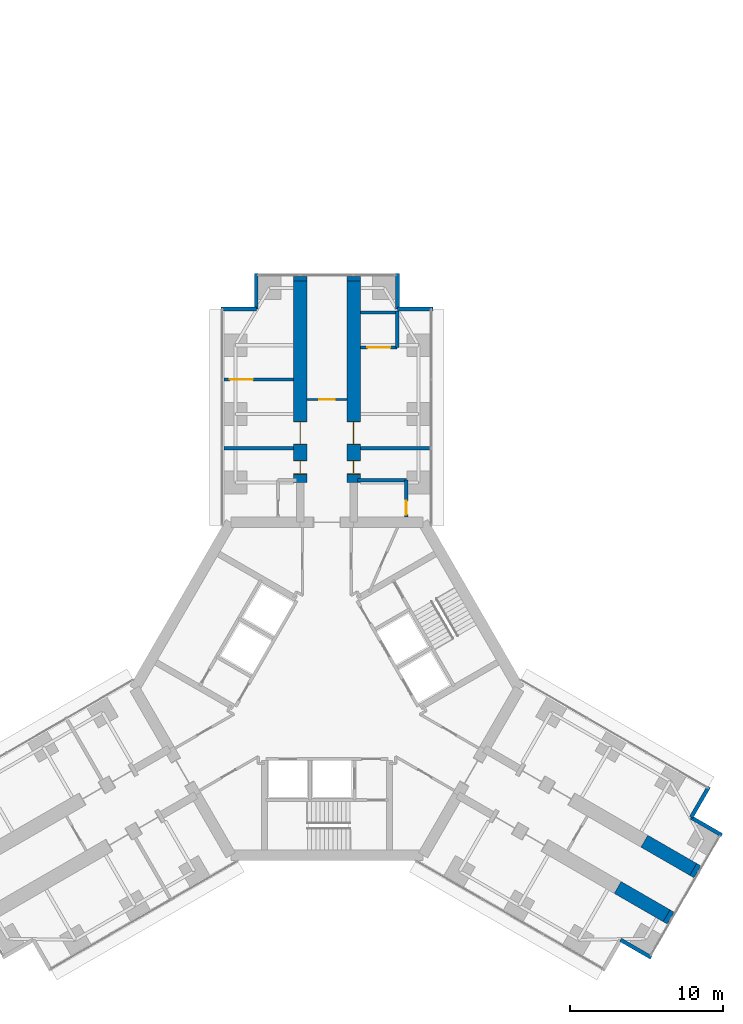
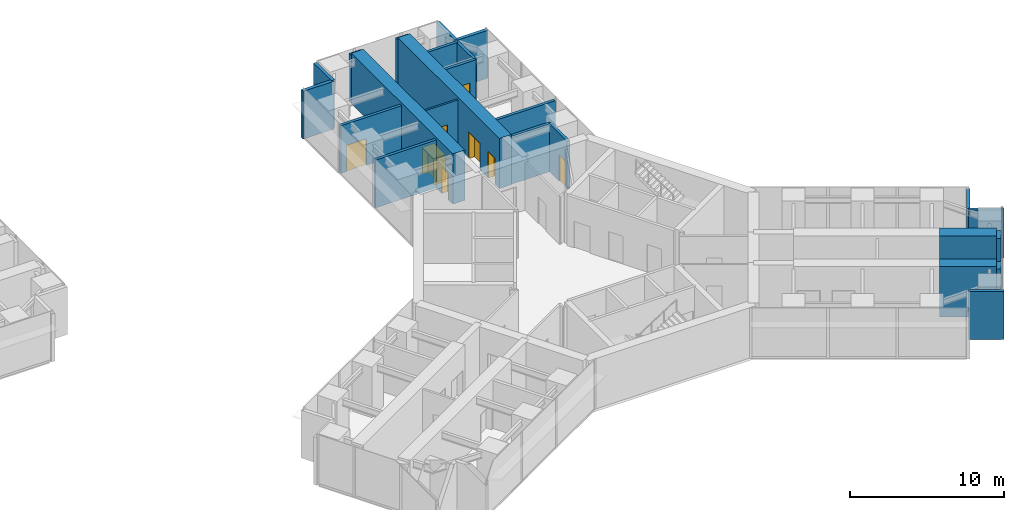
# One storey, part 21 of 23: 24 walls, 8 doors, 8 openings.
"""IFC4 building model written with IfcOpenShell, lengths in metres."""

from ifc_helpers import new_model, si_unit, direction, frame, frame_2d, origin, place, context, subcontext, project, spatial, rectangle, extrude, material, layer, layer_set, type_object, element, fill, save


model = new_model("IFC4")

# Units and contexts
model_context = context("Model", 3, precision=1e-05, world=origin(), true_north=direction((0.0, 1.0)))
body_context = subcontext(model_context, "Body", "Model", "MODEL_VIEW")
ifc_project = project(units=[si_unit("LENGTHUNIT", "METRE"), si_unit("AREAUNIT", "SQUARE_METRE"), si_unit("VOLUMEUNIT", "CUBIC_METRE"), si_unit("PLANEANGLEUNIT", "RADIAN"), si_unit("MASSUNIT", "GRAM", prefix="KILO")], contexts=[model_context])

# Site, building, storey
site_placement = place(None, origin())
site = spatial("IfcSite", under=ifc_project, at=site_placement, CompositionType="ELEMENT")
building_placement = place(site_placement, origin())
building = spatial("IfcBuilding", under=site, at=building_placement, Name="Upepo Twin Towers", CompositionType="ELEMENT")
storey_placement = place(building_placement, frame((0.0, 0.0, 24.5)))
storey = spatial("IfcBuildingStorey", under=building, at=storey_placement, Name="L05", CompositionType="ELEMENT", Elevation=24.5)

# Wall
ifc_material_1 = material(Name="Concrete blockwork, plastered both faces", Category="masonry")
ifc_layer_1 = layer(ifc_material_1, 0.215087890625)
ifc_layer_set_1 = layer_set([ifc_layer_1], Name="Blockwork partition 215")
wall_type_1 = type_object("IfcWallType", Name="Blockwork partition 215", PredefinedType="PARTITIONING", material=ifc_layer_set_1)
wall_1_placement = place(storey_placement, frame((56.300048828125, -2.25, 0.0), z_axis=(0.0, 0.0, 1.0), x_axis=(-1.0, 0.0, 0.0)))
element("IfcWall", 1, at=wall_1_placement, inside=storey, type_object=wall_type_1, Name="T2 partition AL at 15.75", PredefinedType="PARTITIONING", context=body_context, shape_type="SweptSolid", body=[
    extrude(rectangle(XDim=4.550048828125, YDim=0.215087890625, at=frame_2d((2.27490234375, 0.0))), origin(), (0.0, 0.0, 1.0), 3.800048828125),
])

# Wall, opening, door
wall_2_placement = place(storey_placement, frame((56.300048828125, 2.25, 0.0), z_axis=(0.0, 0.0, 1.0), x_axis=(-1.0, 0.0, 0.0)))
wall_2 = element("IfcWall", 2, at=wall_2_placement, inside=storey, type_object=wall_type_1, Name="T2 partition AL at 20.25", PredefinedType="PARTITIONING", context=body_context, shape_type="SweptSolid", body=[
    extrude(rectangle(XDim=4.550048828125, YDim=0.215087890625, at=frame_2d((2.27490234375, 0.0))), origin(), (0.0, 0.0, 1.0), 3.800048828125),
])
opening_1_placement = place(wall_2_placement, frame((2.64990234375, 0.0, 0.0)))
opening_1 = element("IfcOpeningElement", 3, at=opening_1_placement, cuts=wall_2, Name="Opening D13", PredefinedType="OPENING", context=body_context, shape_type="SweptSolid", body=[
    extrude(rectangle(XDim=1.5, YDim=2.10009765625, at=frame_2d((0.75, 1.050048828125))), frame((0.0, 0.117431640625, 0.0), z_axis=(0.0, -1.0, 0.0), x_axis=(1.0, 0.0, 0.0)), (0.0, 0.0, 1.0), 0.235107421875),
])
ifc_material_2 = material(Name="Timber doorset", Category="wood")
door_type_1 = type_object("IfcDoorType", Name="Double door 1500 FD30", OperationType="DOUBLE_DOOR_SINGLE_SWING", PredefinedType="DOOR", material=ifc_material_2)
door_1_placement = place(opening_1_placement, origin())
door_1 = element("IfcDoor", 4, at=door_1_placement, inside=storey, type_object=door_type_1, Name="T2 L05 connecting door", OperationType="DOUBLE_DOOR_SINGLE_SWING", OverallHeight=2.10009765625, OverallWidth=1.5, PredefinedType="DOOR", context=body_context, shape_type="SweptSolid", body=[
    extrude(rectangle(XDim=1.5, YDim=2.10009765625, at=frame_2d((0.75, 1.050048828125))), frame((0.0, 0.02490234375, 0.0), z_axis=(0.0, -1.0, 0.0), x_axis=(1.0, 0.0, 0.0)), (0.0, 0.0, 1.0), 0.050048828125),
])
fill(opening_1, door_1)

# Walls
wall_3_placement = place(storey_placement, frame((60.699951171875, -2.25, 0.0), z_axis=(0.0, 0.0, 1.0), x_axis=(1.0, 0.0, 0.0)))
element("IfcWall", 5, at=wall_3_placement, inside=storey, type_object=wall_type_1, Name="T2 partition AR at 15.75", PredefinedType="PARTITIONING", context=body_context, shape_type="SweptSolid", body=[
    extrude(rectangle(XDim=4.550048828125, YDim=0.215087890625, at=frame_2d((2.27490234375, 0.0))), origin(), (0.0, 0.0, 1.0), 3.800048828125),
])
wall_4_placement = place(storey_placement, frame((63.10009765625, 4.35009765625, 0.0), z_axis=(0.0, 0.0, 1.0), x_axis=(0.0, 1.0, 0.0)))
element("IfcWall", 6, at=wall_4_placement, inside=storey, type_object=wall_type_1, Name="T2 inner room partition AR at 22.35", PredefinedType="PARTITIONING", context=body_context, shape_type="SweptSolid", body=[
    extrude(rectangle(XDim=2.39990234375, YDim=0.215087890625, at=frame_2d((1.199951171875, 0.0))), origin(), (0.0, 0.0, 1.0), 3.800048828125),
])

# Wall, opening, door
wall_5_placement = place(storey_placement, frame((60.699951171875, 4.35009765625, 0.0), z_axis=(0.0, 0.0, 1.0), x_axis=(1.0, 0.0, 0.0)))
wall_5 = element("IfcWall", 7, at=wall_5_placement, inside=storey, type_object=wall_type_1, Name="T2 inner room partition AR end at 22.35", PredefinedType="PARTITIONING", context=body_context, shape_type="SweptSolid", body=[
    extrude(rectangle(XDim=2.400146484375, YDim=0.215087890625, at=frame_2d((1.2001953125, 0.0))), origin(), (0.0, 0.0, 1.0), 3.800048828125),
])
opening_2_placement = place(wall_5_placement, frame((0.449951171875, 0.0, 0.0)))
opening_2 = element("IfcOpeningElement", 8, at=opening_2_placement, cuts=wall_5, Name="Opening D13", PredefinedType="OPENING", context=body_context, shape_type="SweptSolid", body=[
    extrude(rectangle(XDim=1.5, YDim=2.10009765625, at=frame_2d((0.75, 1.050048828125))), frame((0.0, 0.117431640625, 0.0), z_axis=(0.0, -1.0, 0.0), x_axis=(1.0, 0.0, 0.0)), (0.0, 0.0, 1.0), 0.235107421875),
])
door_2_placement = place(opening_2_placement, origin())
door_2 = element("IfcDoor", 9, at=door_2_placement, inside=storey, type_object=door_type_1, Name="T2 L05 inner room door", OperationType="DOUBLE_DOOR_SINGLE_SWING", OverallHeight=2.10009765625, OverallWidth=1.5, PredefinedType="DOOR", context=body_context, shape_type="SweptSolid", body=[
    extrude(rectangle(XDim=1.5, YDim=2.10009765625, at=frame_2d((0.75, 1.050048828125))), frame((0.0, 0.02490234375, 0.0), z_axis=(0.0, -1.0, 0.0), x_axis=(1.0, 0.0, 0.0)), (0.0, 0.0, 1.0), 0.050048828125),
])
fill(opening_2, door_2)

# Wall
wall_6_placement = place(storey_placement, frame((60.699951171875, 6.642578125, 0.0), z_axis=(0.0, 0.0, 1.0), x_axis=(1.0, 0.0, 0.0)))
element("IfcWall", 10, at=wall_6_placement, inside=storey, type_object=wall_type_1, Name="T2 inner room partition AR end at 24.75", PredefinedType="PARTITIONING", context=body_context, shape_type="SweptSolid", body=[
    extrude(rectangle(XDim=2.400146484375, YDim=0.215087890625, at=frame_2d((1.2001953125, 0.0))), origin(), (0.0, 0.0, 1.0), 3.800048828125),
])

# Wall, opening, door
wall_7_placement = place(storey_placement, frame((63.699951171875, -6.741943359375, 0.0), z_axis=(0.0, 0.0, 1.0), x_axis=(0.0, 1.0, 0.0)))
wall_7 = element("IfcWall", 11, at=wall_7_placement, inside=storey, type_object=wall_type_1, Name="T2 WC bay partition AR at 11.26", PredefinedType="PARTITIONING", context=body_context, shape_type="SweptSolid", body=[
    extrude(rectangle(XDim=2.39990234375, YDim=0.215087890625, at=frame_2d((1.199951171875, 0.0))), origin(), (0.0, 0.0, 1.0), 3.800048828125),
])
opening_3_placement = place(wall_7_placement, frame((0.14990234375, 0.0, 0.0)))
opening_3 = element("IfcOpeningElement", 12, at=opening_3_placement, cuts=wall_7, Name="Opening D14", PredefinedType="OPENING", context=body_context, shape_type="SweptSolid", body=[
    extrude(rectangle(XDim=0.89990234375, YDim=2.10009765625, at=frame_2d((0.449951171875, 1.050048828125))), frame((0.0, 0.117431640625, 0.0), z_axis=(0.0, -1.0, 0.0), x_axis=(1.0, 0.0, 0.0)), (0.0, 0.0, 1.0), 0.235107421875),
])
ifc_material_3 = material(Name="Timber doorset", Category="wood")
door_type_2 = type_object("IfcDoorType", Name="Office door 900 FD30", OperationType="SINGLE_SWING_LEFT", PredefinedType="DOOR", material=ifc_material_3)
door_3_placement = place(opening_3_placement, origin())
door_3 = element("IfcDoor", 13, at=door_3_placement, inside=storey, type_object=door_type_2, Name="T2 L05 WC bay inner room door", OperationType="SINGLE_SWING_LEFT", OverallHeight=2.10009765625, OverallWidth=0.89990234375, PredefinedType="DOOR", context=body_context, shape_type="SweptSolid", body=[
    extrude(rectangle(XDim=0.89990234375, YDim=2.10009765625, at=frame_2d((0.449951171875, 1.050048828125))), frame((0.0, 0.02490234375, 0.0), z_axis=(0.0, -1.0, 0.0), x_axis=(1.0, 0.0, 0.0)), (0.0, 0.0, 1.0), 0.050048828125),
])
fill(opening_3, door_3)

# Walls
wall_8_placement = place(storey_placement, frame((60.5, -4.342041015625, 0.0), z_axis=(0.0, 0.0, 1.0), x_axis=(1.0, 0.0, 0.0)))
element("IfcWall", 14, at=wall_8_placement, inside=storey, type_object=wall_type_1, Name="T2 WC bay partition AR end at 13.66", PredefinedType="PARTITIONING", context=body_context, shape_type="SweptSolid", body=[
    extrude(rectangle(XDim=3.199951171875, YDim=0.215087890625, at=frame_2d((1.60009765625, 0.0))), origin(), (0.0, 0.0, 1.0), 3.800048828125),
])
ifc_material_4 = material(Name="Dense concrete blockwork", Category="masonry")
ifc_layer_2 = layer(ifc_material_4, 0.89990234375)
ifc_layer_set_2 = layer_set([ifc_layer_2], Name="Buttress closer 900, blockwork with fire-stopping to the curtain wall")
wall_type_2 = type_object("IfcWallType", Name="Buttress closer 900, blockwork with fire-stopping to the curtain wall", PredefinedType="PARTITIONING", material=ifc_layer_set_2)
for number, where, z_axis, x_axis, name in (
    (15, (56.75, 8.699951171875, 0.0), (0.0, 0.0, 1.0), (0.0, 1.0, 0.0), "T2 L05 wing A buttress closer L"),
    (16, (60.25, 8.699951171875, 0.0), (0.0, 0.0, 1.0), (0.0, 1.0, 0.0), "T2 L05 wing A buttress closer R"),
    (17, (82.497802734375, -29.83447265625, 0.0), (0.0, 0.0, 1.0), (0.866054481515, -0.499949632511, 0.0), "T2 L05 wing C buttress closer L"),
    (18, (80.747802734375, -32.865478515625, 0.0), (0.0, 0.0, 1.0), (0.866054481515, -0.499949632511, 0.0), "T2 L05 wing C buttress closer R"),
):
    element("IfcWall", number, at=place(storey_placement, frame(where, z_axis=z_axis, x_axis=x_axis)), inside=storey, type_object=wall_type_2, Name=name, PredefinedType="PARTITIONING", context=body_context, shape_type="SweptSolid", body=[
        extrude(rectangle(XDim=0.31005859375, YDim=0.89990234375, at=frame_2d((0.155029296875, 0.0))), origin(), (0.0, 0.0, 1.0), 3.800048828125),
    ])

# Wall, openings, doors
ifc_material_5 = material(Name="Concrete C60/75", Category="concrete")
ifc_layer_3 = layer(ifc_material_5, 0.89990234375)
ifc_layer_set_3 = layer_set([ifc_layer_3], Name="Concrete C60/75")
wall_type_3 = type_object("IfcWallType", Name="Buttress wall 900 RC", PredefinedType="SHEAR", material=ifc_layer_set_3)
wall_9_placement = place(storey_placement, frame((56.75, -4.5, 0.0), z_axis=(0.0, 0.0, 1.0), x_axis=(0.0, 1.0, 0.0)))
wall_9 = element("IfcWall", 19, at=wall_9_placement, inside=storey, type_object=wall_type_3, Name="T2 wing A buttress wall L part 2", PredefinedType="SHEAR", context=body_context, shape_type="SweptSolid", body=[
    extrude(rectangle(XDim=13.199951171875, YDim=0.89990234375, at=frame_2d((6.60009765625, 0.0))), origin(), (0.0, 0.0, 1.0), 4.0),
])
opening_4_placement = place(wall_9_placement, frame((0.550048828125, 0.0, 0.0)))
opening_4 = element("IfcOpeningElement", 20, at=opening_4_placement, cuts=wall_9, Name="Opening D11", PredefinedType="OPENING", context=body_context, shape_type="SweptSolid", body=[
    extrude(rectangle(XDim=0.89990234375, YDim=2.10009765625, at=frame_2d((0.449951171875, 1.050048828125))), frame((0.0, 0.4599609375, 0.0), z_axis=(0.0, -1.0, 0.0), x_axis=(1.0, 0.0, 0.0)), (0.0, 0.0, 1.0), 0.919921875),
])
opening_5_placement = place(wall_9_placement, frame((2.5, 0.0, 0.0)))
opening_5 = element("IfcOpeningElement", 21, at=opening_5_placement, cuts=wall_9, Name="Opening D13", PredefinedType="OPENING", context=body_context, shape_type="SweptSolid", body=[
    extrude(rectangle(XDim=1.5, YDim=2.10009765625, at=frame_2d((0.75, 1.050048828125))), frame((0.0, 0.4599609375, 0.0), z_axis=(0.0, -1.0, 0.0), x_axis=(1.0, 0.0, 0.0)), (0.0, 0.0, 1.0), 0.919921875),
])
door_4_placement = place(opening_5_placement, origin())
door_4 = element("IfcDoor", 22, at=door_4_placement, inside=storey, type_object=door_type_1, Name="T2 L05 tutorial room door", OperationType="DOUBLE_DOOR_SINGLE_SWING", OverallHeight=2.10009765625, OverallWidth=1.5, PredefinedType="DOOR", context=body_context, shape_type="SweptSolid", body=[
    extrude(rectangle(XDim=1.42, YDim=2.06009765625, at=frame_2d((0.75, 1.030029296875))), frame((0.0, 0.02490234375, 0.0), z_axis=(0.0, -1.0, 0.0), x_axis=(1.0, 0.0, 0.0)), (0.0, 0.0, 1.0), 0.050048828125),
    extrude(rectangle(XDim=0.04, YDim=2.10009765625, at=frame_2d((0.02001953125, 1.050048828125))), frame((0.0, 0.44970703125, 0.0), z_axis=(0.0, -1.0, 0.0), x_axis=(1.0, 0.0, 0.0)), (0.0, 0.0, 1.0), 0.8994140625),
    extrude(rectangle(XDim=0.04, YDim=2.10009765625, at=frame_2d((1.47998046875, 1.050048828125))), frame((0.0, 0.44970703125, 0.0), z_axis=(0.0, -1.0, 0.0), x_axis=(1.0, 0.0, 0.0)), (0.0, 0.0, 1.0), 0.8994140625),
    extrude(rectangle(XDim=1.42, YDim=0.04, at=frame_2d((0.75, 2.080078125))), frame((0.0, 0.44970703125, 0.0), z_axis=(0.0, -1.0, 0.0), x_axis=(1.0, 0.0, 0.0)), (0.0, 0.0, 1.0), 0.8994140625),
])
fill(opening_5, door_4)
ifc_material_6 = material(Name="Timber doorset", Category="wood")
door_type_3 = type_object("IfcDoorType", Name="Toilet door 900", OperationType="SINGLE_SWING_LEFT", PredefinedType="DOOR", material=ifc_material_6)
door_5_placement = place(opening_4_placement, origin())
door_5 = element("IfcDoor", 23, at=door_5_placement, inside=storey, type_object=door_type_3, Name="T2 L05 toilets door", OperationType="SINGLE_SWING_LEFT", OverallHeight=2.10009765625, OverallWidth=0.89990234375, PredefinedType="DOOR", context=body_context, shape_type="SweptSolid", body=[
    extrude(rectangle(XDim=0.81990234375, YDim=2.06009765625, at=frame_2d((0.449951171875, 1.030029296875))), frame((0.0, 0.02490234375, 0.0), z_axis=(0.0, -1.0, 0.0), x_axis=(1.0, 0.0, 0.0)), (0.0, 0.0, 1.0), 0.050048828125),
    extrude(rectangle(XDim=0.04, YDim=2.10009765625, at=frame_2d((0.02001953125, 1.050048828125))), frame((0.0, 0.44970703125, 0.0), z_axis=(0.0, -1.0, 0.0), x_axis=(1.0, 0.0, 0.0)), (0.0, 0.0, 1.0), 0.8994140625),
    extrude(rectangle(XDim=0.04, YDim=2.10009765625, at=frame_2d((0.8798828125, 1.050048828125))), frame((0.0, 0.44970703125, 0.0), z_axis=(0.0, -1.0, 0.0), x_axis=(1.0, 0.0, 0.0)), (0.0, 0.0, 1.0), 0.8994140625),
    extrude(rectangle(XDim=0.81990234375, YDim=0.04, at=frame_2d((0.449951171875, 2.080078125))), frame((0.0, 0.44970703125, 0.0), z_axis=(0.0, -1.0, 0.0), x_axis=(1.0, 0.0, 0.0)), (0.0, 0.0, 1.0), 0.8994140625),
])
fill(opening_4, door_5)

wall_10_placement = place(storey_placement, frame((60.25, -4.5, 0.0), z_axis=(0.0, 0.0, 1.0), x_axis=(0.0, 1.0, 0.0)))
wall_10 = element("IfcWall", 24, at=wall_10_placement, inside=storey, type_object=wall_type_3, Name="T2 wing A buttress wall R part 2", PredefinedType="SHEAR", context=body_context, shape_type="SweptSolid", body=[
    extrude(rectangle(XDim=13.199951171875, YDim=0.89990234375, at=frame_2d((6.60009765625, 0.0))), origin(), (0.0, 0.0, 1.0), 4.0),
])
opening_6_placement = place(wall_10_placement, frame((0.550048828125, 0.0, 0.0)))
opening_6 = element("IfcOpeningElement", 25, at=opening_6_placement, cuts=wall_10, Name="Opening D11", PredefinedType="OPENING", context=body_context, shape_type="SweptSolid", body=[
    extrude(rectangle(XDim=0.89990234375, YDim=2.10009765625, at=frame_2d((0.449951171875, 1.050048828125))), frame((0.0, 0.4599609375, 0.0), z_axis=(0.0, -1.0, 0.0), x_axis=(1.0, 0.0, 0.0)), (0.0, 0.0, 1.0), 0.919921875),
])
opening_7_placement = place(wall_10_placement, frame((2.5, 0.0, 0.0)))
opening_7 = element("IfcOpeningElement", 26, at=opening_7_placement, cuts=wall_10, Name="Opening D13", PredefinedType="OPENING", context=body_context, shape_type="SweptSolid", body=[
    extrude(rectangle(XDim=1.5, YDim=2.10009765625, at=frame_2d((0.75, 1.050048828125))), frame((0.0, 0.4599609375, 0.0), z_axis=(0.0, -1.0, 0.0), x_axis=(1.0, 0.0, 0.0)), (0.0, 0.0, 1.0), 0.919921875),
])
door_6_placement = place(opening_7_placement, origin())
door_6 = element("IfcDoor", 27, at=door_6_placement, inside=storey, type_object=door_type_1, Name="T2 L05 lecture room door", OperationType="DOUBLE_DOOR_SINGLE_SWING", OverallHeight=2.10009765625, OverallWidth=1.5, PredefinedType="DOOR", context=body_context, shape_type="SweptSolid", body=[
    extrude(rectangle(XDim=1.42, YDim=2.06009765625, at=frame_2d((0.75, 1.030029296875))), frame((0.0, 0.02490234375, 0.0), z_axis=(0.0, -1.0, 0.0), x_axis=(1.0, 0.0, 0.0)), (0.0, 0.0, 1.0), 0.050048828125),
    extrude(rectangle(XDim=0.04, YDim=2.10009765625, at=frame_2d((0.02001953125, 1.050048828125))), frame((0.0, 0.44970703125, 0.0), z_axis=(0.0, -1.0, 0.0), x_axis=(1.0, 0.0, 0.0)), (0.0, 0.0, 1.0), 0.8994140625),
    extrude(rectangle(XDim=0.04, YDim=2.10009765625, at=frame_2d((1.47998046875, 1.050048828125))), frame((0.0, 0.44970703125, 0.0), z_axis=(0.0, -1.0, 0.0), x_axis=(1.0, 0.0, 0.0)), (0.0, 0.0, 1.0), 0.8994140625),
    extrude(rectangle(XDim=1.42, YDim=0.04, at=frame_2d((0.75, 2.080078125))), frame((0.0, 0.44970703125, 0.0), z_axis=(0.0, -1.0, 0.0), x_axis=(1.0, 0.0, 0.0)), (0.0, 0.0, 1.0), 0.8994140625),
])
fill(opening_7, door_6)
door_7_placement = place(opening_6_placement, origin())
door_7 = element("IfcDoor", 28, at=door_7_placement, inside=storey, type_object=door_type_3, Name="T2 L05 accessible wc door", OperationType="SINGLE_SWING_LEFT", OverallHeight=2.10009765625, OverallWidth=0.89990234375, PredefinedType="DOOR", context=body_context, shape_type="SweptSolid", body=[
    extrude(rectangle(XDim=0.81990234375, YDim=2.06009765625, at=frame_2d((0.449951171875, 1.030029296875))), frame((0.0, 0.02490234375, 0.0), z_axis=(0.0, -1.0, 0.0), x_axis=(1.0, 0.0, 0.0)), (0.0, 0.0, 1.0), 0.050048828125),
    extrude(rectangle(XDim=0.04, YDim=2.10009765625, at=frame_2d((0.02001953125, 1.050048828125))), frame((0.0, 0.44970703125, 0.0), z_axis=(0.0, -1.0, 0.0), x_axis=(1.0, 0.0, 0.0)), (0.0, 0.0, 1.0), 0.8994140625),
    extrude(rectangle(XDim=0.04, YDim=2.10009765625, at=frame_2d((0.8798828125, 1.050048828125))), frame((0.0, 0.44970703125, 0.0), z_axis=(0.0, -1.0, 0.0), x_axis=(1.0, 0.0, 0.0)), (0.0, 0.0, 1.0), 0.8994140625),
    extrude(rectangle(XDim=0.81990234375, YDim=0.04, at=frame_2d((0.449951171875, 2.080078125))), frame((0.0, 0.44970703125, 0.0), z_axis=(0.0, -1.0, 0.0), x_axis=(1.0, 0.0, 0.0)), (0.0, 0.0, 1.0), 0.8994140625),
])
fill(opening_6, door_7)

# Walls
wall_11_placement = place(storey_placement, frame((79.293701171875, -27.984375, 0.0), z_axis=(0.0, 0.0, 1.0), x_axis=(0.866000971088, -0.500042316284, 0.0)))
element("IfcWall", 29, at=wall_11_placement, inside=storey, type_object=wall_type_3, Name="T2 wing C buttress wall L part 3", PredefinedType="SHEAR", context=body_context, shape_type="SweptSolid", body=[
    extrude(rectangle(XDim=3.699951171875, YDim=0.89990234375, at=frame_2d((1.85009765625, 0.0))), origin(), (0.0, 0.0, 1.0), 4.0),
])
wall_12_placement = place(storey_placement, frame((77.543701171875, -31.015625, 0.0), z_axis=(0.0, 0.0, 1.0), x_axis=(0.866029545028, -0.499992827086, 0.0)))
element("IfcWall", 30, at=wall_12_placement, inside=storey, type_object=wall_type_3, Name="T2 wing C buttress wall R part 3", PredefinedType="SHEAR", context=body_context, shape_type="SweptSolid", body=[
    extrude(rectangle(XDim=3.69970703125, YDim=0.89990234375, at=frame_2d((1.849853515625, 0.0))), origin(), (0.0, 0.0, 1.0), 4.0),
])
ifc_material_7 = material(Name="Blockwork with anodised aluminium cladding", Category="masonry")
ifc_layer_4 = layer(ifc_material_7, 0.25)
ifc_layer_set_4 = layer_set([ifc_layer_4], Name="Notch cladding wall 250, pale metal")
wall_type_4 = type_object("IfcWallType", Name="Notch cladding wall 250, pale metal", PredefinedType="STANDARD", material=ifc_layer_set_4)
for number, where, z_axis, x_axis, name in (
    (31, (51.550048828125, 6.875, 0.0), (0.0, 0.0, 1.0), (1.0, 0.0, 0.0), "T2 L05 wing A notch wall L1"),
    (32, (53.875, 6.875, 0.0), (0.0, 0.0, 1.0), (0.0, 1.0, 0.0), "T2 L05 wing A notch wall L2"),
    (33, (65.449951171875, 6.875, 0.0), (0.0, 0.0, 1.0), (-1.0, 0.0, 0.0), "T2 L05 wing A notch wall R1"),
    (34, (63.125, 6.875, 0.0), (0.0, 0.0, 1.0), (0.0, 1.0, 0.0), "T2 L05 wing A notch wall R2"),
    (35, (83.517333984375, -24.418701171875, 0.0), (0.0, 0.0, 1.0), (-0.499967891604, -0.866043940782, 0.0), "T2 L05 wing C notch wall L1"),
    (36, (82.35498046875, -26.43212890625, 0.0), (0.0, 0.0, 1.0), (0.865998469481, -0.500046648681, 0.0), "T2 L05 wing C notch wall L2"),
    (37, (77.72998046875, -34.44287109375, 0.0), (0.0, 0.0, 1.0), (0.865998469481, -0.500046648681, 0.0), "T2 L05 wing C notch wall R2"),
):
    element("IfcWall", number, at=place(storey_placement, frame(where, z_axis=z_axis, x_axis=x_axis)), inside=storey, type_object=wall_type_4, Name=name, PredefinedType="STANDARD", context=body_context, shape_type="SweptSolid", body=[
        extrude(rectangle(XDim=2.324951171875, YDim=0.25, at=frame_2d((1.16259765625, 0.0))), origin(), (0.0, 0.0, 1.0), 3.800048828125),
    ])

# Wall, opening, door
ifc_material_8 = material(Name="Gypsum board on steel studs", Category="steel")
ifc_layer_5 = layer(ifc_material_8, 0.14990234375)
ifc_layer_set_5 = layer_set([ifc_layer_5], Name="Teaching partition 150 acoustic")
wall_type_5 = type_object("IfcWallType", Name="Teaching partition 150 acoustic", PredefinedType="PARTITIONING", material=ifc_layer_set_5)
wall_13_placement = place(storey_placement, frame((59.800048828125, 0.949951171875, 0.0), z_axis=(0.0, 0.0, 1.0), x_axis=(-1.0, 0.0, 0.0)))
wall_13 = element("IfcWall", 38, at=wall_13_placement, inside=storey, type_object=wall_type_5, Name="T2 corridor end partition A at 18.95", PredefinedType="PARTITIONING", context=body_context, shape_type="SweptSolid", body=[
    extrude(rectangle(XDim=2.60009765625, YDim=0.14990234375, at=frame_2d((1.300048828125, 0.0))), origin(), (0.0, 0.0, 1.0), 3.800048828125),
])
opening_8_placement = place(wall_13_placement, frame((0.800048828125, 0.0, 0.0)))
opening_8 = element("IfcOpeningElement", 39, at=opening_8_placement, cuts=wall_13, Name="Opening D1", PredefinedType="OPENING", context=body_context, shape_type="SweptSolid", body=[
    extrude(rectangle(XDim=1.0, YDim=2.10009765625, at=frame_2d((0.5, 1.050048828125))), frame((0.0, 0.0849609375, 0.0), z_axis=(0.0, -1.0, 0.0), x_axis=(1.0, 0.0, 0.0)), (0.0, 0.0, 1.0), 0.169921875),
])
ifc_material_9 = material(Name="Timber doorset", Category="wood")
door_type_4 = type_object("IfcDoorType", Name="Room door 1000 FD30", OperationType="SINGLE_SWING_LEFT", PredefinedType="DOOR", material=ifc_material_9)
door_8_placement = place(opening_8_placement, origin())
door_8 = element("IfcDoor", 40, at=door_8_placement, inside=storey, type_object=door_type_4, Name="T2 L05 breakout study room door", OperationType="SINGLE_SWING_LEFT", OverallHeight=2.10009765625, OverallWidth=1.0, PredefinedType="DOOR", context=body_context, shape_type="SweptSolid", body=[
    extrude(rectangle(XDim=1.0, YDim=2.10009765625, at=frame_2d((0.5, 1.050048828125))), frame((0.0, 0.02490234375, 0.0), z_axis=(0.0, -1.0, 0.0), x_axis=(1.0, 0.0, 0.0)), (0.0, 0.0, 1.0), 0.050048828125),
])
fill(opening_8, door_8)

save(model, "model.ifc")
